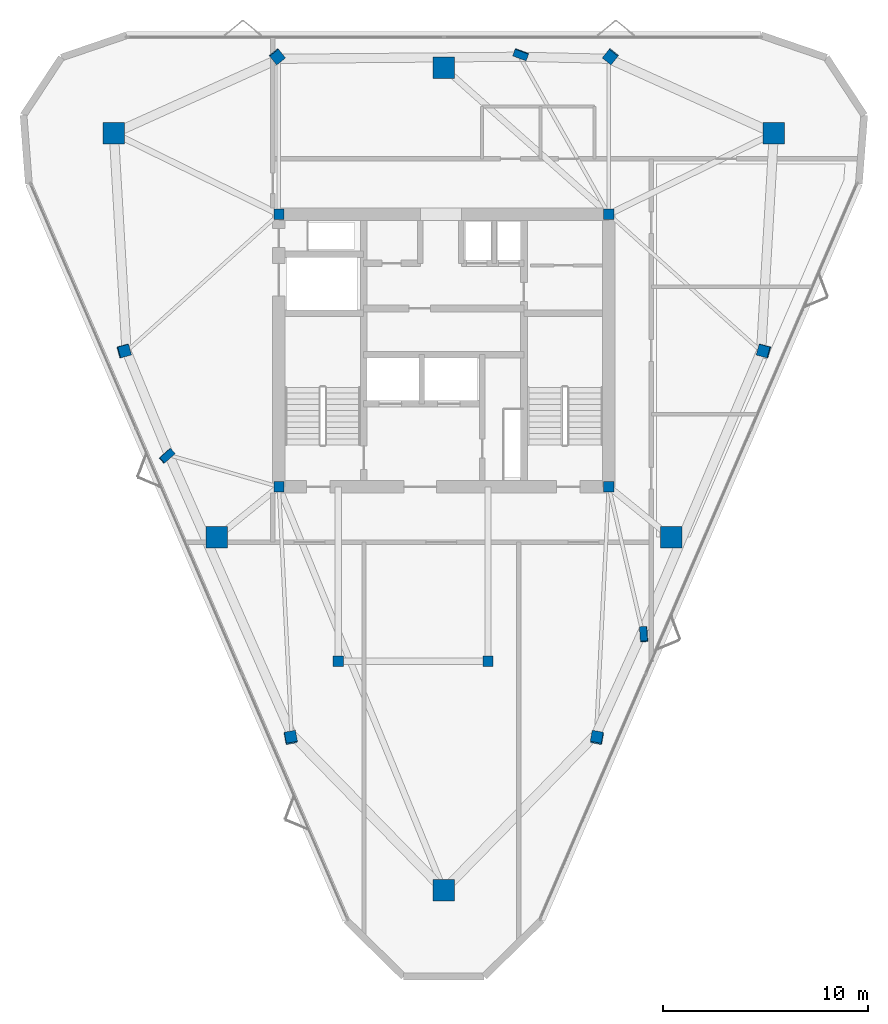
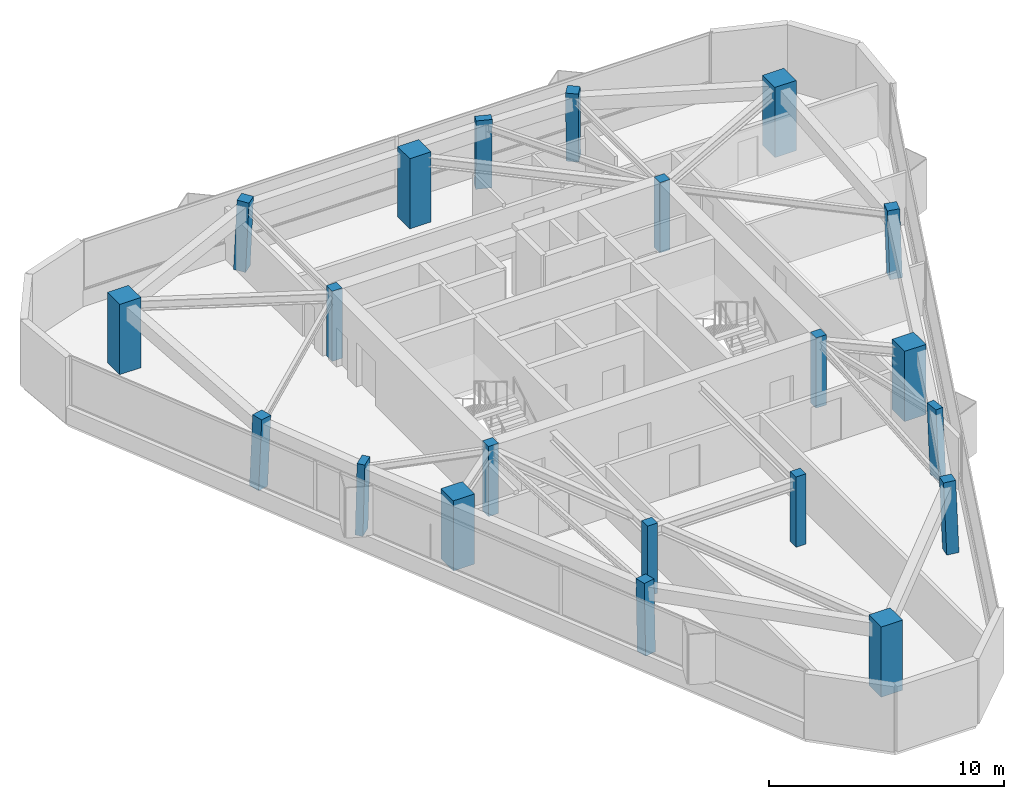
# One storey, part 1 of 9: 21 columns.
"""IFC4 building model written with IfcOpenShell, lengths in metres."""

import ifcopenshell
import ifcopenshell.guid

model = None  # the IFC model being written
_history = None  # IfcOwnerHistory: only IFC2X3 demands one
_inside = {}  # id of a spatial element -> (the spatial element, [elements in it])
_under = {}  # id of a project, library or spatial element -> (it, [spatial elements below it])
_declared = {}  # id of a project -> (the project, [libraries it declares])
_typed = {}  # id of a type object -> (the type object, [elements of that type])
_made_of = {}  # id of a material, layer set ... -> (it, [elements and type objects made of it])


def new_model(schema):
    """Start an empty IFC model of exactly this schema.

    Asked for "IFC4X3", IfcOpenShell would pick the latest addendum, in which some entities
    have other attributes; the version numbers below select the first issue.
    IFC2X3 requires an IfcOwnerHistory on every rooted entity: one is made here for all.
    """
    global model, _history
    if schema == "IFC4X3":
        model = ifcopenshell.file(schema_version=(4, 3, 0, 0))
    else:
        model = ifcopenshell.file(schema=schema)
    _inside.clear()
    _under.clear()
    _declared.clear()
    _typed.clear()
    _made_of.clear()
    _history = None
    if model.schema == "IFC2X3":
        org = make("IfcOrganization", Name="unknown")
        user = make(
            "IfcPersonAndOrganization",
            ThePerson=make("IfcPerson", FamilyName="unknown"),
            TheOrganization=org,
        )
        app = make(
            "IfcApplication",
            ApplicationDeveloper=org,
            Version="unknown",
            ApplicationFullName="unknown",
            ApplicationIdentifier="unknown",
        )
        _history = make(
            "IfcOwnerHistory",
            OwningUser=user,
            OwningApplication=app,
            ChangeAction="ADDED",
            CreationDate=0,
        )
    return model


def make(cls, **values):
    """One entity of the class cls with the attributes given. An attribute that is None is left unset."""
    return model.create_entity(
        cls, **{name: value for name, value in values.items() if value is not None}
    )


def rooted(cls, **values):
    """An entity with a GlobalId (a new one), such as an element, a storey or a relation."""
    return make(cls, GlobalId=ifcopenshell.guid.new(), OwnerHistory=_history, **values)


def si_unit(unit_type, name, prefix=None):
    """IfcSIUnit, for example si_unit("LENGTHUNIT", "METRE", prefix="MILLI")."""
    return make("IfcSIUnit", UnitType=unit_type, Prefix=prefix, Name=name)


def assignment(units):
    """IfcUnitAssignment: the units of a project."""
    return None if units is None else make("IfcUnitAssignment", Units=units)


def point(xyz):
    """IfcCartesianPoint."""
    return None if xyz is None else make("IfcCartesianPoint", Coordinates=xyz)


def direction(xyz):
    """IfcDirection."""
    return None if xyz is None else make("IfcDirection", DirectionRatios=xyz)


def frame(location, z_axis=None, x_axis=None):
    """IfcAxis2Placement3D, a coordinate frame: its origin and axes. An axis left out is left unset."""
    return make(
        "IfcAxis2Placement3D",
        Location=point(location),
        Axis=direction(z_axis),
        RefDirection=direction(x_axis),
    )


def frame_2d(location, x_axis=None):
    """IfcAxis2Placement2D, a coordinate frame in the plane: its origin and x axis."""
    return make(
        "IfcAxis2Placement2D", Location=point(location), RefDirection=direction(x_axis)
    )


def origin():
    """The frame at (0, 0, 0) with its axes left unset."""
    return frame((0.0, 0.0, 0.0))


def origin_2d():
    """The frame at (0, 0) in the plane with its x axis left unset."""
    return frame_2d((0.0, 0.0))


def place(relative_to, where):
    """IfcLocalPlacement: puts the frame where relative to a parent placement (None: the world)."""
    return make(
        "IfcLocalPlacement", PlacementRelTo=relative_to, RelativePlacement=where
    )


def context(
    kind, dimensions, precision=None, world=None, true_north=None, identifier=None
):
    """IfcGeometricRepresentationContext, for example the 3D "Model" context."""
    return make(
        "IfcGeometricRepresentationContext",
        ContextIdentifier=identifier,
        ContextType=kind,
        CoordinateSpaceDimension=dimensions,
        Precision=precision,
        WorldCoordinateSystem=world,
        TrueNorth=true_north,
    )


def subcontext(parent, identifier, kind, view, scale=None):
    """IfcGeometricRepresentationSubContext, for example "Body" below "Model"."""
    return make(
        "IfcGeometricRepresentationSubContext",
        ContextIdentifier=identifier,
        ContextType=kind,
        ParentContext=parent,
        TargetScale=scale,
        TargetView=view,
    )


def project(units=None, contexts=None):
    """IfcProject with its units and contexts."""
    return rooted(
        "IfcProject",
        Name="project",
        RepresentationContexts=contexts,
        UnitsInContext=assignment(units),
    )


def spatial(cls, under=None, at=None, **own):
    """A site, building, storey or space (cls), placed at a placement, below another one or the project."""
    s = rooted(cls, ObjectPlacement=at, **own)
    if under is not None:
        _under.setdefault(under.id(), (under, []))[1].append(s)
    return s


def profile(cls, at=None, kind="AREA", **sizes):
    """A parametric profile (cls). Its sizes go by their IFC names, for example OverallWidth=200.0."""
    return make(cls, ProfileType=kind, Position=at, **sizes)


def rectangle(**sizes):
    """IfcRectangleProfileDef."""
    return profile("IfcRectangleProfileDef", **sizes)


def extrude(swept, where, along, depth):
    """IfcExtrudedAreaSolid: the profile swept, set in the frame where, extruded along a direction by depth."""
    return make(
        "IfcExtrudedAreaSolid",
        SweptArea=swept,
        Position=where,
        ExtrudedDirection=direction(along),
        Depth=depth,
    )


def shape(context_of_items, identifier, shape_type, items):
    """IfcShapeRepresentation: the items that make up one representation, for example the "Body"."""
    return make(
        "IfcShapeRepresentation",
        ContextOfItems=context_of_items,
        RepresentationIdentifier=identifier,
        RepresentationType=shape_type,
        Items=items,
    )


def material(Name=None, Category=None):
    """IfcMaterial."""
    return make("IfcMaterial", Name=Name, Category=Category)


def material_profile(
    of_material, cross_section, Name=None, Category=None, Priority=None
):
    """IfcMaterialProfile: a cross section and its material."""
    return make(
        "IfcMaterialProfile",
        Name=Name,
        Material=of_material,
        Profile=cross_section,
        Priority=Priority,
        Category=Category,
    )


def profile_set(profiles, Name=None, composite=None):
    """IfcMaterialProfileSet."""
    return make(
        "IfcMaterialProfileSet",
        Name=Name,
        MaterialProfiles=profiles,
        CompositeProfile=composite,
    )


def made_of(thing, what):
    """Note that an element or type object is made of a material, layer set ...; save() writes the relation."""
    if what is not None:
        _made_of.setdefault(what.id(), (what, []))[1].append(thing)
    return thing


def type_object(cls, material=None, **own):
    """A type object (cls), such as IfcWallType, which elements share."""
    return made_of(rooted(cls, **own), material)


def element(
    cls,
    number,
    at=None,
    inside=None,
    cuts=None,
    type_object=None,
    material=None,
    context=None,
    identifier="Body",
    shape_type=None,
    held_by="IfcProductDefinitionShape",
    body=None,
    shapes=None,
    **own,
):
    """One element of the class cls, such as IfcWall. Its Tag is "e" and its number.

    at: its placement. inside: the storey or other place that contains it. cuts: it is an
    opening in that element (IfcRelVoidsElement). A single representation is given by context,
    identifier, shape_type and body (its items); several are given by shapes. held_by: the class
    of the entity that holds the representations. save() writes the other relations.
    """
    e = rooted(cls, Tag="e%d" % number, ObjectPlacement=at, **own)
    if body is not None:
        shapes = [shape(context, identifier, shape_type, body)]
    if shapes is not None:
        e.Representation = make(held_by, Representations=shapes)
    if inside is not None:
        _inside.setdefault(inside.id(), (inside, []))[1].append(e)
    if cuts is not None:
        rooted(
            "IfcRelVoidsElement", RelatingBuildingElement=cuts, RelatedOpeningElement=e
        )
    if type_object is not None:
        _typed.setdefault(type_object.id(), (type_object, []))[1].append(e)
    return made_of(e, material)


def aggregate(whole, parts):
    """IfcRelAggregates: a whole, such as a stair, and the parts it consists of."""
    return rooted("IfcRelAggregates", RelatingObject=whole, RelatedObjects=parts)


def save(model, path):
    """Write the relations noted so far, then the file.

    IfcRelAggregates (storeys below a building ...), IfcRelContainedInSpatialStructure (elements
    in a storey), IfcRelDefinesByType, IfcRelAssociatesMaterial and IfcRelDeclares: one each for
    every whole, place, type object, material and project.
    """
    for whole, parts in _under.values():
        aggregate(whole, parts)
    for where, things in _inside.values():
        rooted(
            "IfcRelContainedInSpatialStructure",
            RelatedElements=things,
            RelatingStructure=where,
        )
    for kind, things in _typed.values():
        rooted("IfcRelDefinesByType", RelatedObjects=things, RelatingType=kind)
    for what, things in _made_of.values():
        rooted("IfcRelAssociatesMaterial", RelatedObjects=things, RelatingMaterial=what)
    for by, libraries in _declared.values():
        rooted("IfcRelDeclares", RelatingContext=by, RelatedDefinitions=libraries)
    model.write(path)


model = new_model("IFC4")

# Units and contexts
model_context = context("Model", 3, precision=1e-05, world=origin(), true_north=direction((0.0, 1.0)))
body_context = subcontext(model_context, "Body", "Model", "MODEL_VIEW")
ifc_project = project(units=[si_unit("LENGTHUNIT", "METRE"), si_unit("AREAUNIT", "SQUARE_METRE"), si_unit("VOLUMEUNIT", "CUBIC_METRE"), si_unit("PLANEANGLEUNIT", "RADIAN"), si_unit("MASSUNIT", "GRAM", prefix="KILO")], contexts=[model_context])

# Site, building, storey
site_placement = place(None, origin())
site = spatial("IfcSite", under=ifc_project, at=site_placement, CompositionType="ELEMENT")
building_placement = place(site_placement, origin())
building = spatial("IfcBuilding", under=site, at=building_placement, Name="Talyreon Biosciences Tower", CompositionType="ELEMENT")
storey_placement = place(building_placement, frame((0.0, 0.0, 302.050048828125)))
storey = spatial("IfcBuildingStorey", under=building, at=storey_placement, Name="L80", CompositionType="ELEMENT", Elevation=302.050048828125)

# Columns
ifc_material_1 = material(Name="Concrete C50/60", Category="concrete")
ifc_material_profile_1 = material_profile(ifc_material_1, rectangle(XDim=0.5, YDim=0.5, at=origin_2d()), Name="RC 500x500")
ifc_profile_set_1 = profile_set([ifc_material_profile_1], Name="Concrete C50/60")
column_type_1 = type_object("IfcColumnType", Name="CrownColumn_500", PredefinedType="COLUMN", material=ifc_profile_set_1)
for number, where, z_axis, x_axis, name in (
    (1, (57.949951171875, 61.35009765625, 0.0), (0.0, 0.0, 1.0), (1.0, 0.0, 0.0), "L80 Core Column CC1"),
    (2, (74.050048828125, 61.35009765625, 0.0), (0.0, 0.0, 1.0), (1.0, 0.0, 0.0), "L80 Core Column CC2"),
    (3, (74.050048828125, 74.64990234375, 0.0), (0.0, 0.0, 1.0), (1.0, 0.0, 0.0), "L80 Core Column CC3"),
    (4, (57.949951171875, 74.64990234375, 0.0), (0.0, 0.0, 1.0), (1.0, 0.0, 0.0), "L80 Core Column CC4"),
    (5, (60.85009765625, 52.840087890625, 0.0), (0.0, 0.0, 1.0), (1.0, 0.0, 0.0), "L80 Core Column CSW"),
    (6, (68.14990234375, 52.840087890625, 0.0), (0.0, 0.0, 1.0), (1.0, 0.0, 0.0), "L80 Core Column CSE"),
):
    element("IfcColumn", number, at=place(storey_placement, frame(where, z_axis=z_axis, x_axis=x_axis)), inside=storey, type_object=column_type_1, Name=name, PredefinedType="COLUMN", context=body_context, shape_type="SweptSolid", body=[
        extrude(rectangle(XDim=0.5, YDim=0.5, at=origin_2d()), origin(), (0.0, 0.0, 1.0), 3.64990234375),
    ])
ifc_material_2 = material(Name="Precast concrete C45/55", Category="concrete")
ifc_material_profile_2 = material_profile(ifc_material_2, rectangle(XDim=0.699951171875, YDim=0.35009765625, at=origin_2d()), Name="RC 700x350")
ifc_profile_set_2 = profile_set([ifc_material_profile_2], Name="Precast concrete C45/55")
column_type_2 = type_object("IfcColumnType", Name="FacadePilaster_700x350", PredefinedType="PILASTER", material=ifc_profile_set_2)
column_1_placement = place(storey_placement, frame((75.763916015625, 54.133056640625, 0.0029296875), z_axis=(-0.019611903423, 0.038420588959, 0.999069182584), x_axis=(0.064512464844, -0.997130381649, 0.039612420693)))
element("IfcColumn", 7, at=column_1_placement, inside=storey, type_object=column_type_2, Name="L80 Facade Pilaster PL-SE", PredefinedType="PILASTER", context=body_context, shape_type="SweptSolid", body=[
    extrude(rectangle(XDim=0.699951171875, YDim=0.35009765625, at=origin_2d()), origin(), (0.0, 0.0, 1.0), 3.6474609375),
])
column_2_placement = place(storey_placement, frame((69.759765625, 82.455810546875, 0.0029296875), z_axis=(-0.01238655289, -0.033544124313, 0.999360478022), x_axis=(-0.9380871136, 0.346399433166, 0.0)))
element("IfcColumn", 8, at=column_2_placement, inside=storey, type_object=column_type_2, Name="L80 Facade Pilaster PL-N", PredefinedType="PILASTER", context=body_context, shape_type="SweptSolid", body=[
    extrude(rectangle(XDim=0.699951171875, YDim=0.35009765625, at=origin_2d()), origin(), (0.0, 0.0, 1.0), 3.646484375),
])
column_3_placement = place(storey_placement, frame((52.4765625, 62.854248046875, 0.0029296875), z_axis=(0.03193954092, 0.01064651364, 0.999433098048), x_axis=(0.745494362821, 0.665794498964, -0.030916664639)))
element("IfcColumn", 9, at=column_3_placement, inside=storey, type_object=column_type_2, Name="L80 Facade Pilaster PL-SW", PredefinedType="PILASTER", context=body_context, shape_type="SweptSolid", body=[
    extrude(rectangle(XDim=0.699951171875, YDim=0.35009765625, at=origin_2d()), origin(), (0.0, 0.0, 1.0), 3.64599609375),
])
ifc_material_profile_3 = material_profile(ifc_material_1, rectangle(XDim=1.050048828125, YDim=1.050048828125, at=origin_2d()), Name="RC 1050x1050")
ifc_profile_set_3 = profile_set([ifc_material_profile_3], Name="Concrete C50/60")
column_type_3 = type_object("IfcColumnType", Name="MegaColumn_1050", PredefinedType="COLUMN", material=ifc_profile_set_3)
for number, where, z_axis, x_axis, name in (
    (10, (66.0, 41.6669921875, 0.0), (0.0, 0.0, 1.0), (1.0, 0.0, 0.0), "L80 Composite Mega-Column MC1"),
    (11, (82.102294921875, 78.5986328125, 0.0), (0.0, 0.0, 1.0), (1.0, 0.0, 0.0), "L80 Composite Mega-Column MC2"),
    (12, (49.897705078125, 78.5986328125, 0.0), (0.0, 0.0, 1.0), (1.0, 0.0, 0.0), "L80 Composite Mega-Column MC3"),
    (13, (77.086181640625, 58.88037109375, 0.0), (0.0, 0.0, 1.0), (1.0, 0.0, 0.0), "L80 Composite Mega-Column MC4"),
    (14, (66.0, 81.788818359375, 0.0), (0.0, 0.0, 1.0), (1.0, 0.0, 0.0), "L80 Composite Mega-Column MC5"),
    (15, (54.913818359375, 58.88037109375, 0.0), (0.0, 0.0, 1.0), (1.0, 0.0, 0.0), "L80 Composite Mega-Column MC6"),
):
    element("IfcColumn", number, at=place(storey_placement, frame(where, z_axis=z_axis, x_axis=x_axis)), inside=storey, type_object=column_type_3, Name=name, PredefinedType="COLUMN", context=body_context, shape_type="SweptSolid", body=[
        extrude(rectangle(XDim=1.050048828125, YDim=1.050048828125, at=origin_2d()), origin(), (0.0, 0.0, 1.0), 3.64990234375),
    ])
ifc_material_profile_4 = material_profile(ifc_material_1, rectangle(XDim=0.550048828125, YDim=0.550048828125, at=origin_2d()), Name="RC 550x550")
ifc_profile_set_4 = profile_set([ifc_material_profile_4], Name="Concrete C50/60")
column_type_4 = type_object("IfcColumnType", Name="PerimeterColumn_550", PredefinedType="COLUMN", material=ifc_profile_set_4)
column_4_placement = place(storey_placement, frame((73.478759765625, 49.085205078125, 0.0029296875), z_axis=(-0.012308168998, 0.054584053819, 0.998433317776), x_axis=(-0.184506038444, -0.981487287894, 0.051383124471)))
element("IfcColumn", 16, at=column_4_placement, inside=storey, type_object=column_type_4, Name="L80 Tapering Perimeter Column PC-SE1", PredefinedType="COLUMN", context=body_context, shape_type="SweptSolid", body=[
    extrude(rectangle(XDim=0.550048828125, YDim=0.550048828125, at=origin_2d()), origin(), (0.0, 0.0, 1.0), 3.649658203125),
])
column_5_placement = place(storey_placement, frame((81.625, 67.981201171875, 0.0029296875), z_axis=(-0.039296349527, -0.005623327701, 0.999211776902), x_axis=(0.964404074378, -0.261908235574, 0.036453497245)))
element("IfcColumn", 17, at=column_5_placement, inside=storey, type_object=column_type_4, Name="L80 Tapering Perimeter Column PC-SE2", PredefinedType="COLUMN", context=body_context, shape_type="SweptSolid", body=[
    extrude(rectangle(XDim=0.550048828125, YDim=0.550048828125, at=origin_2d()), origin(), (0.0, 0.0, 1.0), 3.64697265625),
])
for number, where, z_axis, x_axis, name in (
    (18, (74.14599609375, 82.355712890625, 0.0029296875), (-0.026841076243, -0.033534611465, 0.999077067328), (-0.780716755404, 0.624885067698, 0.0), "L80 Tapering Perimeter Column PC-N1"),
    (19, (57.85400390625, 82.355712890625, 0.0029296875), (0.026841076243, -0.033534611465, 0.999077067328), (-0.780716755404, -0.624885067698, 0.0), "L80 Tapering Perimeter Column PC-N2"),
):
    element("IfcColumn", number, at=place(storey_placement, frame(where, z_axis=z_axis, x_axis=x_axis)), inside=storey, type_object=column_type_4, Name=name, PredefinedType="COLUMN", context=body_context, shape_type="SweptSolid", body=[
        extrude(rectangle(XDim=0.550048828125, YDim=0.550048828125, at=origin_2d()), origin(), (0.0, 0.0, 1.0), 3.6474609375),
    ])
column_6_placement = place(storey_placement, frame((50.375, 67.981201171875, 0.0029296875), z_axis=(0.039296349527, -0.005623327701, 0.999211776902), x_axis=(0.964404074378, 0.261908235574, -0.036453497245)))
element("IfcColumn", 20, at=column_6_placement, inside=storey, type_object=column_type_4, Name="L80 Tapering Perimeter Column PC-SW1", PredefinedType="COLUMN", context=body_context, shape_type="SweptSolid", body=[
    extrude(rectangle(XDim=0.550048828125, YDim=0.550048828125, at=origin_2d()), origin(), (0.0, 0.0, 1.0), 3.64697265625),
])
column_7_placement = place(storey_placement, frame((58.521240234375, 49.085205078125, 0.0029296875), z_axis=(0.012308168998, 0.054584053819, 0.998433317776), x_axis=(-0.184506038444, 0.981487287894, -0.051383124471)))
element("IfcColumn", 21, at=column_7_placement, inside=storey, type_object=column_type_4, Name="L80 Tapering Perimeter Column PC-SW2", PredefinedType="COLUMN", context=body_context, shape_type="SweptSolid", body=[
    extrude(rectangle(XDim=0.550048828125, YDim=0.550048828125, at=origin_2d()), origin(), (0.0, 0.0, 1.0), 3.649658203125),
])

save(model, "model.ifc")
